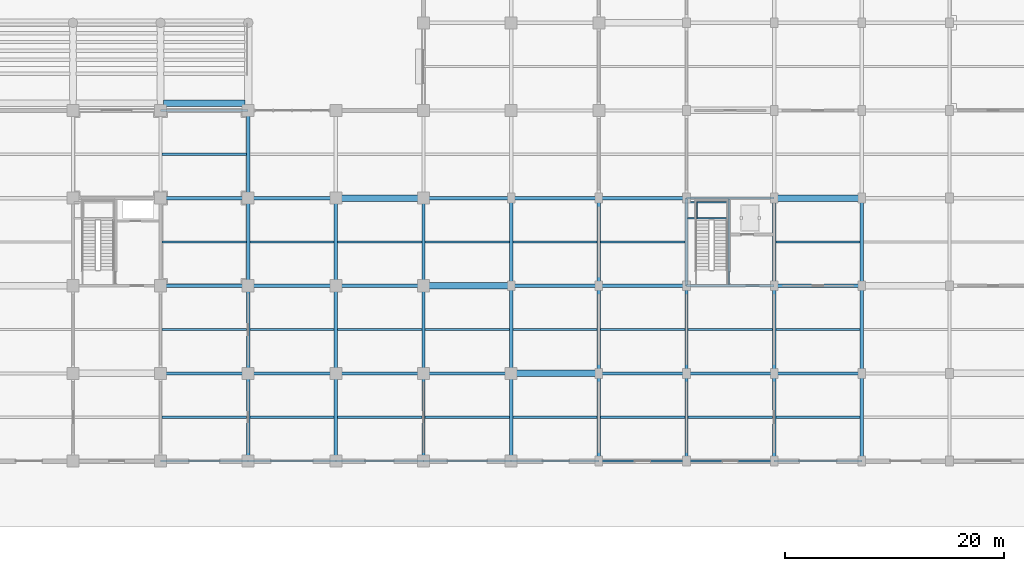
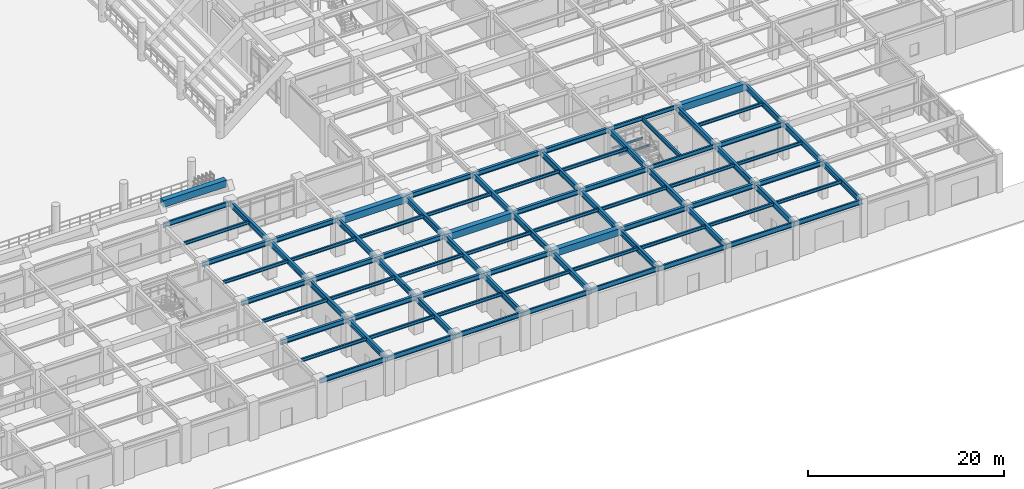
# One storey, part 30 of 125: 87 beams.
"""IFC4 building model written with IfcOpenShell, lengths in metres."""

from ifc_helpers import new_model, si_unit, direction, frame, origin, origin_2d, place, context, subcontext, project, spatial, rectangle, i_section, extrude, material, material_profile, profile_set, type_object, element, save


model = new_model("IFC4")

# Units and contexts
model_context = context("Model", 3, precision=1e-05, world=origin(), true_north=direction((0.0, 1.0)))
body_context = subcontext(model_context, "Body", "Model", "MODEL_VIEW")
ifc_project = project(units=[si_unit("LENGTHUNIT", "METRE"), si_unit("AREAUNIT", "SQUARE_METRE"), si_unit("VOLUMEUNIT", "CUBIC_METRE"), si_unit("PLANEANGLEUNIT", "RADIAN"), si_unit("MASSUNIT", "GRAM", prefix="KILO")], contexts=[model_context])

# Site, building, storey
site_placement = place(None, origin())
site = spatial("IfcSite", under=ifc_project, at=site_placement, CompositionType="ELEMENT")
building_placement = place(site_placement, origin())
building = spatial("IfcBuilding", under=site, at=building_placement, Name="Haebicheon Civic Stadium", CompositionType="ELEMENT")
storey_placement = place(building_placement, origin())
storey = spatial("IfcBuildingStorey", under=building, at=storey_placement, Name="L01", CompositionType="ELEMENT", Elevation=0.0)

# Beams
ifc_material_1 = material(Name="Steel SM355 (S355)", Category="steel")
ifc_material_profile_1 = material_profile(ifc_material_1, i_section(OverallWidth=0.199951171875, OverallDepth=0.5, WebThickness=0.010009765625, FlangeThickness=0.01611328125, at=origin_2d()), Name="H-500x200x10x16")
ifc_profile_set_1 = profile_set([ifc_material_profile_1], Name="Steel SM355 (S355)")
beam_type_1 = type_object("IfcBeamType", Name="BM-ST-H500", PredefinedType="BEAM", material=ifc_profile_set_1)
for number, where, z_axis, x_axis, name in (
    (1, (168.0, 16.0, 4.27001953125), (1.0, 0.0, 0.0), (0.0, 1.0, 0.0), "L01 beam C/22-23"),
    (2, (168.0, 24.0, 4.27001953125), (1.0, 0.0, 0.0), (0.0, 1.0, 0.0), "L01 beam D/22-23"),
):
    element("IfcBeam", number, at=place(storey_placement, frame(where, z_axis=z_axis, x_axis=x_axis)), inside=storey, type_object=beam_type_1, material=ifc_profile_set_1, Name=name, PredefinedType="BEAM", context=body_context, shape_type="SweptSolid", body=[
        extrude(i_section(OverallWidth=0.199951171875, OverallDepth=0.5, WebThickness=0.010009765625, FlangeThickness=0.01611328125, at=origin_2d()), origin(), (0.0, 0.0, 1.0), 8.0),
    ])
beam_1_placement = place(storey_placement, frame((171.8798828125, 16.10009765625, 4.27001953125), z_axis=(0.0, 1.0, 0.0), x_axis=(-1.0, 0.0, 0.0)))
element("IfcBeam", 3, at=beam_1_placement, inside=storey, type_object=beam_type_1, material=ifc_profile_set_1, Name="L01 KC-14 core dividing wall support beam", PredefinedType="BEAM", context=body_context, shape_type="SweptSolid", body=[
    extrude(i_section(OverallWidth=0.199951171875, OverallDepth=0.5, WebThickness=0.010009765625, FlangeThickness=0.01611328125, at=origin_2d()), origin(), (0.0, 0.0, 1.0), 7.7998046875),
])
ifc_material_2 = material(Name="Steel SM355 (S355)", Category="steel")
ifc_material_profile_2 = material_profile(ifc_material_2, i_section(OverallWidth=0.300048828125, OverallDepth=0.60009765625, WebThickness=0.011962890625, FlangeThickness=0.02001953125, at=origin_2d()), Name="H-600x300x12x20")
ifc_profile_set_2 = profile_set([ifc_material_profile_2], Name="Steel SM355 (S355)")
beam_type_2 = type_object("IfcBeamType", Name="BM-ST-H600A", PredefinedType="BEAM", material=ifc_profile_set_2)
for number, where, z_axis, x_axis, name in (
    (4, (120.0, 8.0, 4.219970703125), (1.0, 0.0, 0.0), (0.0, 1.0, 0.0), "L01 beam B/16-17"),
    (5, (120.0, 16.0, 4.219970703125), (1.0, 0.0, 0.0), (0.0, 1.0, 0.0), "L01 beam C/16-17"),
    (6, (120.0, 24.0, 4.219970703125), (1.0, 0.0, 0.0), (0.0, 1.0, 0.0), "L01 beam D/16-17"),
    (7, (128.0, 8.0, 4.219970703125), (1.0, 0.0, 0.0), (0.0, 1.0, 0.0), "L01 beam B/17-18"),
    (8, (128.0, 16.0, 4.219970703125), (1.0, 0.0, 0.0), (0.0, 1.0, 0.0), "L01 beam C/17-18"),
    (9, (128.0, 24.0, 4.219970703125), (1.0, 0.0, 0.0), (0.0, 1.0, 0.0), "L01 beam D/17-18"),
    (10, (136.0, 8.0, 4.219970703125), (1.0, 0.0, 0.0), (0.0, 1.0, 0.0), "L01 beam B/18-19"),
    (11, (136.0, 16.0, 4.219970703125), (1.0, 0.0, 0.0), (0.0, 1.0, 0.0), "L01 beam C/18-19"),
    (12, (144.0, 8.0, 4.219970703125), (1.0, 0.0, 0.0), (0.0, 1.0, 0.0), "L01 beam B/19-20"),
    (13, (144.0, 24.0, 4.219970703125), (1.0, 0.0, 0.0), (0.0, 1.0, 0.0), "L01 beam D/19-20"),
    (14, (152.0, 16.0, 4.219970703125), (1.0, 0.0, 0.0), (0.0, 1.0, 0.0), "L01 beam C/20-21"),
    (15, (152.0, 24.0, 4.219970703125), (1.0, 0.0, 0.0), (0.0, 1.0, 0.0), "L01 beam D/20-21"),
    (16, (160.0, 8.0, 4.219970703125), (1.0, 0.0, 0.0), (0.0, 1.0, 0.0), "L01 beam B/21-22"),
    (17, (160.0, 16.0, 4.219970703125), (1.0, 0.0, 0.0), (0.0, 1.0, 0.0), "L01 beam C/21-22"),
    (18, (160.0, 24.0, 4.219970703125), (1.0, 0.0, 0.0), (0.0, 1.0, 0.0), "L01 beam D/21-22"),
    (19, (168.0, 8.0, 4.219970703125), (1.0, 0.0, 0.0), (0.0, 1.0, 0.0), "L01 beam B/22-23"),
    (20, (176.0, 8.0, 4.219970703125), (1.0, 0.0, 0.0), (0.0, 1.0, 0.0), "L01 beam B/23-24"),
    (21, (176.0, 16.0, 4.219970703125), (1.0, 0.0, 0.0), (0.0, 1.0, 0.0), "L01 beam C/23-24"),
):
    element("IfcBeam", number, at=place(storey_placement, frame(where, z_axis=z_axis, x_axis=x_axis)), inside=storey, type_object=beam_type_2, material=ifc_profile_set_2, Name=name, PredefinedType="BEAM", context=body_context, shape_type="SweptSolid", body=[
        extrude(i_section(OverallWidth=0.300048828125, OverallDepth=0.60009765625, WebThickness=0.011962890625, FlangeThickness=0.02001953125, at=origin_2d()), origin(), (0.0, 0.0, 1.0), 8.0),
    ])
ifc_material_3 = material(Name="Steel SM490", Category="steel")
ifc_material_profile_3 = material_profile(ifc_material_3, i_section(OverallWidth=0.300048828125, OverallDepth=0.699951171875, WebThickness=0.012939453125, FlangeThickness=0.02392578125, at=origin_2d()), Name="H-700x300x13x24")
ifc_profile_set_3 = profile_set([ifc_material_profile_3], Name="Steel SM490")
beam_type_3 = type_object("IfcBeamType", Name="BM-ST-H700", PredefinedType="BEAM", material=ifc_profile_set_3)
for number, where, z_axis, x_axis, name in (
    (22, (128.0, 0.0, 4.169921875), (0.0, 1.0, 0.0), (-1.0, 0.0, 0.0), "L01 girder 17/A-B"),
    (23, (128.0, 8.0, 4.169921875), (0.0, 1.0, 0.0), (-1.0, 0.0, 0.0), "L01 girder 17/B-C"),
    (24, (128.0, 16.0, 4.169921875), (0.0, 1.0, 0.0), (-1.0, 0.0, 0.0), "L01 girder 17/C-D"),
    (25, (128.0, 24.0, 4.169921875), (0.0, 1.0, 0.0), (-1.0, 0.0, 0.0), "L01 girder 17/D-E"),
    (26, (136.0, 0.0, 4.169921875), (0.0, 1.0, 0.0), (-1.0, 0.0, 0.0), "L01 girder 18/A-B"),
    (27, (136.0, 8.0, 4.169921875), (0.0, 1.0, 0.0), (-1.0, 0.0, 0.0), "L01 girder 18/B-C"),
    (28, (136.0, 16.0, 4.169921875), (0.0, 1.0, 0.0), (-1.0, 0.0, 0.0), "L01 girder 18/C-D"),
    (29, (144.0, 0.0, 4.169921875), (0.0, 1.0, 0.0), (-1.0, 0.0, 0.0), "L01 girder 19/A-B"),
    (30, (144.0, 8.0, 4.169921875), (0.0, 1.0, 0.0), (-1.0, 0.0, 0.0), "L01 girder 19/B-C"),
    (31, (144.0, 16.0, 4.169921875), (0.0, 1.0, 0.0), (-1.0, 0.0, 0.0), "L01 girder 19/C-D"),
    (32, (152.0, 0.0, 4.169921875), (0.0, 1.0, 0.0), (-1.0, 0.0, 0.0), "L01 girder 20/A-B"),
    (33, (152.0, 8.0, 4.169921875), (0.0, 1.0, 0.0), (-1.0, 0.0, 0.0), "L01 girder 20/B-C"),
    (34, (152.0, 16.0, 4.169921875), (0.0, 1.0, 0.0), (-1.0, 0.0, 0.0), "L01 girder 20/C-D"),
    (35, (160.0, 0.0, 4.169921875), (0.0, 1.0, 0.0), (-1.0, 0.0, 0.0), "L01 girder 21/A-B"),
    (36, (160.0, 8.0, 4.169921875), (0.0, 1.0, 0.0), (-1.0, 0.0, 0.0), "L01 girder 21/B-C"),
    (37, (160.0, 16.0, 4.169921875), (0.0, 1.0, 0.0), (-1.0, 0.0, 0.0), "L01 girder 21/C-D"),
    (38, (168.0, 0.0, 4.169921875), (0.0, 1.0, 0.0), (-1.0, 0.0, 0.0), "L01 girder 22/A-B"),
    (39, (168.0, 8.0, 4.169921875), (0.0, 1.0, 0.0), (-1.0, 0.0, 0.0), "L01 girder 22/B-C"),
    (40, (168.0, 16.0, 4.169921875), (0.0, 1.0, 0.0), (-1.0, 0.0, 0.0), "L01 girder 22/C-D"),
    (41, (176.0, 0.0, 4.169921875), (0.0, 1.0, 0.0), (-1.0, 0.0, 0.0), "L01 girder 23/A-B"),
    (42, (176.0, 8.0, 4.169921875), (0.0, 1.0, 0.0), (-1.0, 0.0, 0.0), "L01 girder 23/B-C"),
    (43, (176.0, 16.0, 4.169921875), (0.0, 1.0, 0.0), (-1.0, 0.0, 0.0), "L01 girder 23/C-D"),
    (44, (184.0, 0.0, 4.169921875), (0.0, 1.0, 0.0), (-1.0, 0.0, 0.0), "L01 girder 24/A-B"),
    (45, (184.0, 8.0, 4.169921875), (0.0, 1.0, 0.0), (-1.0, 0.0, 0.0), "L01 girder 24/B-C"),
    (46, (184.0, 16.0, 4.169921875), (0.0, 1.0, 0.0), (-1.0, 0.0, 0.0), "L01 girder 24/C-D"),
):
    element("IfcBeam", number, at=place(storey_placement, frame(where, z_axis=z_axis, x_axis=x_axis)), inside=storey, type_object=beam_type_3, material=ifc_profile_set_3, Name=name, PredefinedType="BEAM", context=body_context, shape_type="SweptSolid", body=[
        extrude(i_section(OverallWidth=0.300048828125, OverallDepth=0.699951171875, WebThickness=0.012939453125, FlangeThickness=0.02392578125, at=origin_2d()), origin(), (0.0, 0.0, 1.0), 8.0),
    ])
ifc_material_4 = material(Name="Precast concrete C40/50", Category="concrete")
ifc_material_profile_4 = material_profile(ifc_material_4, rectangle(XDim=0.60009765625, YDim=0.85009765625, at=origin_2d()), Name="PC-TB-600x850")
ifc_profile_set_4 = profile_set([ifc_material_profile_4], Name="Precast concrete C40/50")
beam_type_4 = type_object("IfcBeamType", Name="BM-TB-600x850", PredefinedType="T_BEAM", material=ifc_profile_set_4)
for number, where, z_axis, x_axis, name in (
    (47, (136.0, 24.0, 4.094970703125), (1.0, 0.0, 0.0), (0.0, 1.0, 0.0), "L01 beam D/18-19"),
    (48, (144.0, 16.0, 4.094970703125), (1.0, 0.0, 0.0), (0.0, 1.0, 0.0), "L01 beam C/19-20"),
    (49, (152.0, 8.0, 4.155029296875), (1.0, 0.0, 0.0), (0.0, 1.0, 0.0), "L01 beam B/20-21"),
    (50, (176.0, 24.0, 4.094970703125), (1.0, 0.0, 0.0), (0.0, 1.0, 0.0), "L01 beam D/23-24"),
):
    element("IfcBeam", number, at=place(storey_placement, frame(where, z_axis=z_axis, x_axis=x_axis)), inside=storey, type_object=beam_type_4, material=ifc_profile_set_4, Name=name, PredefinedType="T_BEAM", context=body_context, shape_type="SweptSolid", body=[
        extrude(rectangle(XDim=0.60009765625, YDim=0.85009765625, at=origin_2d()), origin(), (0.0, 0.0, 1.0), 8.0),
    ])
beam_2_placement = place(storey_placement, frame((120.280029296875, 32.639892578125, 6.534912109375), z_axis=(1.0, 0.0, 0.0), x_axis=(0.0, 1.0, 0.0)))
element("IfcBeam", 51, at=beam_2_placement, inside=storey, type_object=beam_type_4, material=ifc_profile_set_4, Name="TIER-S-L upper tier bench carrier beam 6", PredefinedType="T_BEAM", context=body_context, shape_type="SweptSolid", body=[
    extrude(rectangle(XDim=0.60009765625, YDim=0.85009765625, at=origin_2d()), origin(), (0.0, 0.0, 1.0), 7.43994140625),
])
ifc_material_5 = material(Name="Steel SM355 (S355)", Category="steel")
ifc_material_profile_5 = material_profile(ifc_material_5, i_section(OverallWidth=0.125, OverallDepth=0.25, WebThickness=0.006103515625, FlangeThickness=0.009033203125, at=origin_2d()), Name="H-250x125x6x9")
ifc_profile_set_5 = profile_set([ifc_material_profile_5], Name="Steel SM355 (S355)")
beam_type_5 = type_object("IfcBeamType", Name="JST-ST-H250", PredefinedType="JOIST", material=ifc_profile_set_5)
for number, where, z_axis, x_axis, name in (
    (52, (168.080078125, 22.169921875, 2.072021484375), (1.0, 0.0, 0.0), (0.0, 1.0, 0.0), "KC-14 L01 stair half-landing front trimmer beam"),
    (53, (168.080078125, 23.6201171875, 2.072021484375), (1.0, 0.0, 0.0), (0.0, 1.0, 0.0), "KC-14 L01 stair half-landing rear trimmer beam"),
):
    element("IfcBeam", number, at=place(storey_placement, frame(where, z_axis=z_axis, x_axis=x_axis)), inside=storey, type_object=beam_type_5, material=ifc_profile_set_5, Name=name, PredefinedType="JOIST", context=body_context, shape_type="SweptSolid", body=[
        extrude(i_section(OverallWidth=0.125, OverallDepth=0.25, WebThickness=0.006103515625, FlangeThickness=0.009033203125, at=origin_2d()), origin(), (0.0, 0.0, 1.0), 3.719970703125),
    ])
beam_3_placement = place(storey_placement, frame((168.9599609375, 22.169921875, 2.072021484375), z_axis=(0.0, 1.0, 0.0), x_axis=(-1.0, 0.0, 0.0)))
element("IfcBeam", 54, at=beam_3_placement, inside=storey, type_object=beam_type_5, material=ifc_profile_set_5, Name="KC-14 L01 stair half-landing transverse tie beam", PredefinedType="JOIST", context=body_context, shape_type="SweptSolid", body=[
    extrude(i_section(OverallWidth=0.125, OverallDepth=0.25, WebThickness=0.006103515625, FlangeThickness=0.009033203125, at=origin_2d()), origin(), (0.0, 0.0, 1.0), 1.4501953125),
])
ifc_material_6 = material(Name="Steel SM355 (S355)", Category="steel")
ifc_material_profile_6 = material_profile(ifc_material_6, i_section(OverallWidth=0.199951171875, OverallDepth=0.39990234375, WebThickness=0.008056640625, FlangeThickness=0.012939453125, at=origin_2d()), Name="H-400x200x8x13")
ifc_profile_set_6 = profile_set([ifc_material_profile_6], Name="Steel SM355 (S355)")
beam_type_6 = type_object("IfcBeamType", Name="JST-ST-H400", PredefinedType="JOIST", material=ifc_profile_set_6)
for number, where, z_axis, x_axis, name in (
    (55, (120.14990234375, 4.0, 4.320068359375), (1.0, 0.0, 0.0), (0.0, 1.0, 0.0), "L01 secondary joist 15-00"),
    (56, (120.14990234375, 12.0, 4.320068359375), (1.0, 0.0, 0.0), (0.0, 1.0, 0.0), "L01 secondary joist 15-01"),
    (57, (120.14990234375, 20.0, 4.320068359375), (1.0, 0.0, 0.0), (0.0, 1.0, 0.0), "L01 secondary joist 15-02"),
    (58, (120.14990234375, 28.0, 4.320068359375), (1.0, 0.0, 0.0), (0.0, 1.0, 0.0), "L01 secondary joist 15-03"),
    (59, (128.14990234375, 4.0, 4.320068359375), (1.0, 0.0, 0.0), (0.0, 1.0, 0.0), "L01 secondary joist 16-00"),
    (60, (128.14990234375, 12.0, 4.320068359375), (1.0, 0.0, 0.0), (0.0, 1.0, 0.0), "L01 secondary joist 16-01"),
    (61, (128.14990234375, 20.0, 4.320068359375), (1.0, 0.0, 0.0), (0.0, 1.0, 0.0), "L01 secondary joist 16-02"),
    (62, (136.14990234375, 4.0, 4.320068359375), (1.0, 0.0, 0.0), (0.0, 1.0, 0.0), "L01 secondary joist 17-00"),
    (63, (136.14990234375, 12.0, 4.320068359375), (1.0, 0.0, 0.0), (0.0, 1.0, 0.0), "L01 secondary joist 17-01"),
    (64, (136.14990234375, 20.0, 4.320068359375), (1.0, 0.0, 0.0), (0.0, 1.0, 0.0), "L01 secondary joist 17-02"),
    (65, (144.14990234375, 4.0, 4.320068359375), (1.0, 0.0, 0.0), (0.0, 1.0, 0.0), "L01 secondary joist 18-00"),
    (66, (144.14990234375, 12.0, 4.320068359375), (1.0, 0.0, 0.0), (0.0, 1.0, 0.0), "L01 secondary joist 18-01"),
    (67, (144.14990234375, 20.0, 4.320068359375), (1.0, 0.0, 0.0), (0.0, 1.0, 0.0), "L01 secondary joist 18-02"),
    (68, (152.14990234375, 4.0, 4.3798828125), (1.0, 0.0, 0.0), (0.0, 1.0, 0.0), "L01 secondary joist 19-00"),
    (69, (152.14990234375, 12.0, 4.3798828125), (1.0, 0.0, 0.0), (0.0, 1.0, 0.0), "L01 secondary joist 19-01"),
    (70, (152.14990234375, 20.0, 4.320068359375), (1.0, 0.0, 0.0), (0.0, 1.0, 0.0), "L01 secondary joist 19-02"),
    (71, (160.14990234375, 4.0, 4.320068359375), (1.0, 0.0, 0.0), (0.0, 1.0, 0.0), "L01 secondary joist 20-00"),
    (72, (160.14990234375, 12.0, 4.320068359375), (1.0, 0.0, 0.0), (0.0, 1.0, 0.0), "L01 secondary joist 20-01"),
    (73, (160.14990234375, 20.0, 4.320068359375), (1.0, 0.0, 0.0), (0.0, 1.0, 0.0), "L01 secondary joist 20-02"),
    (74, (168.14990234375, 4.0, 4.320068359375), (1.0, 0.0, 0.0), (0.0, 1.0, 0.0), "L01 secondary joist 21-00"),
    (75, (168.14990234375, 12.0, 4.320068359375), (1.0, 0.0, 0.0), (0.0, 1.0, 0.0), "L01 secondary joist 21-01"),
    (76, (176.14990234375, 4.0, 4.320068359375), (1.0, 0.0, 0.0), (0.0, 1.0, 0.0), "L01 secondary joist 22-00"),
    (77, (176.14990234375, 12.0, 4.320068359375), (1.0, 0.0, 0.0), (0.0, 1.0, 0.0), "L01 secondary joist 22-01"),
    (78, (176.14990234375, 20.0, 4.320068359375), (1.0, 0.0, 0.0), (0.0, 1.0, 0.0), "L01 secondary joist 22-02"),
):
    element("IfcBeam", number, at=place(storey_placement, frame(where, z_axis=z_axis, x_axis=x_axis)), inside=storey, type_object=beam_type_6, material=ifc_profile_set_6, Name=name, PredefinedType="JOIST", context=body_context, shape_type="SweptSolid", body=[
        extrude(i_section(OverallWidth=0.199951171875, OverallDepth=0.39990234375, WebThickness=0.008056640625, FlangeThickness=0.012939453125, at=origin_2d()), origin(), (0.0, 0.0, 1.0), 7.7001953125),
    ])
ifc_material_7 = material(Name="Steel SM355 (S355)", Category="steel")
ifc_material_profile_7 = material_profile(ifc_material_7, i_section(OverallWidth=0.199951171875, OverallDepth=0.60009765625, WebThickness=0.010986328125, FlangeThickness=0.01708984375, at=origin_2d()), Name="H-600x200x11x17")
ifc_profile_set_7 = profile_set([ifc_material_profile_7], Name="Steel SM355 (S355)")
beam_type_7 = type_object("IfcBeamType", Name="SPD-ST-H600B", PredefinedType="SPANDREL", material=ifc_profile_set_7)
for number, where, z_axis, x_axis, name in (
    (79, (120.0, 0.0, 4.219970703125), (1.0, 0.0, 0.0), (0.0, 1.0, 0.0), "L01 beam A/16-17"),
    (80, (120.0, 32.0, 4.219970703125), (1.0, 0.0, 0.0), (0.0, 1.0, 0.0), "L01 beam E/16-17"),
    (81, (128.0, 0.0, 4.219970703125), (1.0, 0.0, 0.0), (0.0, 1.0, 0.0), "L01 beam A/17-18"),
    (82, (136.0, 0.0, 4.219970703125), (1.0, 0.0, 0.0), (0.0, 1.0, 0.0), "L01 beam A/18-19"),
    (83, (144.0, 0.0, 4.219970703125), (1.0, 0.0, 0.0), (0.0, 1.0, 0.0), "L01 beam A/19-20"),
    (84, (152.0, 0.0, 4.280029296875), (1.0, 0.0, 0.0), (0.0, 1.0, 0.0), "L01 beam A/20-21"),
    (85, (160.0, 0.0, 4.219970703125), (1.0, 0.0, 0.0), (0.0, 1.0, 0.0), "L01 beam A/21-22"),
    (86, (168.0, 0.0, 4.219970703125), (1.0, 0.0, 0.0), (0.0, 1.0, 0.0), "L01 beam A/22-23"),
    (87, (176.0, 0.0, 4.219970703125), (1.0, 0.0, 0.0), (0.0, 1.0, 0.0), "L01 beam A/23-24"),
):
    element("IfcBeam", number, at=place(storey_placement, frame(where, z_axis=z_axis, x_axis=x_axis)), inside=storey, type_object=beam_type_7, material=ifc_profile_set_7, Name=name, PredefinedType="SPANDREL", context=body_context, shape_type="SweptSolid", body=[
        extrude(i_section(OverallWidth=0.199951171875, OverallDepth=0.60009765625, WebThickness=0.010986328125, FlangeThickness=0.01708984375, at=origin_2d()), origin(), (0.0, 0.0, 1.0), 8.0),
    ])

save(model, "model.ifc")
